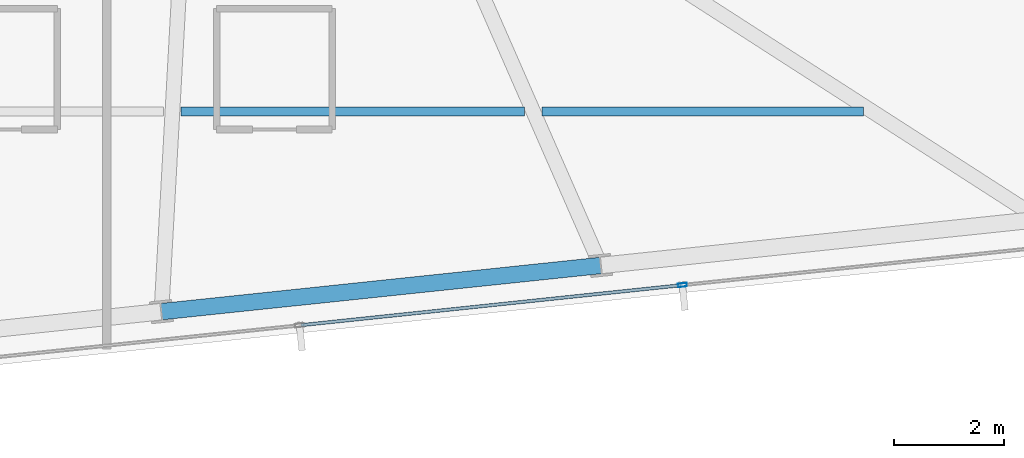
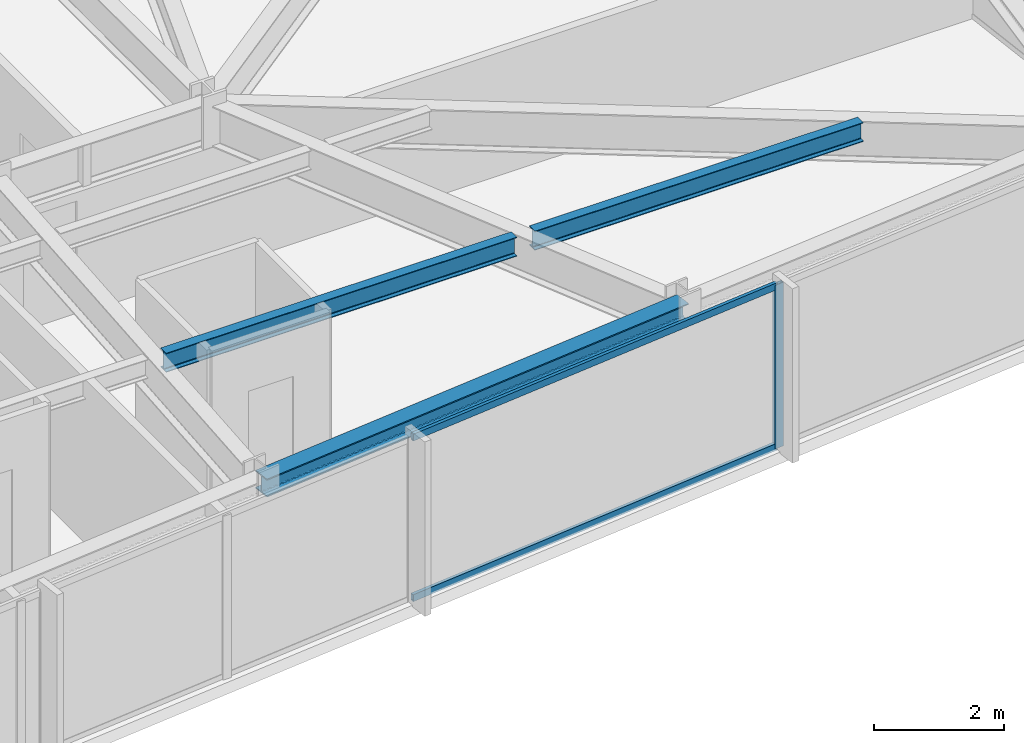
# One storey, part 15 of 33: 3 beams, 3 members, 1 element without a shape of its own.
"""IFC4 building model written with IfcOpenShell, lengths in metres."""

from ifc_helpers import new_model, si_unit, direction, frame, origin, origin_2d, place, context, subcontext, project, spatial, hollow_rectangle, i_section, extrude, material, material_profile, profile_set, type_object, element, aggregate, save


model = new_model("IFC4")

# Units and contexts
model_context = context("Model", 3, precision=1e-05, world=origin(), true_north=direction((0.0, 1.0)))
body_context = subcontext(model_context, "Body", "Model", "MODEL_VIEW")
ifc_project = project(units=[si_unit("LENGTHUNIT", "METRE"), si_unit("AREAUNIT", "SQUARE_METRE"), si_unit("VOLUMEUNIT", "CUBIC_METRE"), si_unit("PLANEANGLEUNIT", "RADIAN"), si_unit("MASSUNIT", "GRAM", prefix="KILO")], contexts=[model_context])

# Site, building, storey
site_placement = place(None, origin())
site = spatial("IfcSite", under=ifc_project, at=site_placement, CompositionType="ELEMENT")
building_placement = place(site_placement, origin())
building = spatial("IfcBuilding", under=site, at=building_placement, Name="Yelkora Congress Tower", CompositionType="ELEMENT")
storey_placement = place(building_placement, frame((0.0, 0.0, 240.800048828125)))
storey = spatial("IfcBuildingStorey", under=building, at=storey_placement, Name="L67", CompositionType="ELEMENT", Elevation=240.800048828125)

# Beams
ifc_material_1 = material(Name="Steel S355J2", Category="steel")
ifc_material_profile_1 = material_profile(ifc_material_1, i_section(OverallWidth=0.169921875, OverallDepth=0.360107421875, WebThickness=0.008056640625, FlangeThickness=0.0126953125, FilletRadius=0.01806640625, at=origin_2d()), Name="IPE 360")
ifc_profile_set_1 = profile_set([ifc_material_profile_1], Name="Steel S355J2")
beam_type_1 = type_object("IfcBeamType", Name="BM-JOIST-IPE360", PredefinedType="JOIST", material=ifc_profile_set_1)
beam_1_placement = place(storey_placement, frame((53.616455078125, 19.678466796875, 2.89990234375), z_axis=(1.0, 0.0, 0.0), x_axis=(0.0, 1.0, 0.0)))
element("IfcBeam", 1, at=beam_1_placement, inside=storey, type_object=beam_type_1, Name="L67 Composite Floor Joist 7", PredefinedType="JOIST", context=body_context, shape_type="SweptSolid", body=[
    extrude(i_section(OverallWidth=0.169921875, OverallDepth=0.360107421875, WebThickness=0.008056640625, FlangeThickness=0.0126953125, FilletRadius=0.01806640625, at=origin_2d()), origin(), (0.0, 0.0, 1.0), 6.2421875),
])
beam_2_placement = place(storey_placement, frame((60.1787109375, 19.678466796875, 2.89990234375), z_axis=(1.0, 0.0, 0.0), x_axis=(0.0, 1.0, 0.0)))
element("IfcBeam", 2, at=beam_2_placement, inside=storey, type_object=beam_type_1, Name="L67 Composite Floor Joist 8", PredefinedType="JOIST", context=body_context, shape_type="SweptSolid", body=[
    extrude(i_section(OverallWidth=0.169921875, OverallDepth=0.360107421875, WebThickness=0.008056640625, FlangeThickness=0.0126953125, FilletRadius=0.01806640625, at=origin_2d()), origin(), (0.0, 0.0, 1.0), 5.84619140625),
])
ifc_material_profile_2 = material_profile(ifc_material_1, i_section(OverallWidth=0.300048828125, OverallDepth=0.340087890625, WebThickness=0.011962890625, FlangeThickness=0.021484375, FilletRadius=0.027099609375, at=origin_2d()), Name="HEB 340")
ifc_profile_set_2 = profile_set([ifc_material_profile_2], Name="Steel S355J2")
beam_type_2 = type_object("IfcBeamType", Name="BM-SPAN-HEB340", PredefinedType="SPANDREL", material=ifc_profile_set_2)
beam_3_placement = place(storey_placement, frame((53.25634765625, 16.037353515625, 2.909912109375), z_axis=(0.994520097542, 0.104545567032, 0.0), x_axis=(-0.104545567032, 0.994520097542, 0.0)))
element("IfcBeam", 3, at=beam_3_placement, inside=storey, type_object=beam_type_2, Name="L67 Perimeter Beam 7", PredefinedType="SPANDREL", context=body_context, shape_type="SweptSolid", body=[
    extrude(i_section(OverallWidth=0.300048828125, OverallDepth=0.340087890625, WebThickness=0.011962890625, FlangeThickness=0.021484375, FilletRadius=0.027099609375, at=origin_2d()), origin(), (0.0, 0.0, 1.0), 8.033203125),
])

# Curtain wall, members
ifc_material_2 = material(Name="Anodised aluminium and insulated glass", Category="aluminium")
curtain_wall_type = type_object("IfcCurtainWallType", Name="CW-SYS-B4", PredefinedType="NOTDEFINED", material=ifc_material_2)
curtain_wall_placement = place(storey_placement, origin())
curtain_wall = element("IfcCurtainWall", 4, at=curtain_wall_placement, inside=storey, type_object=curtain_wall_type, Name="L67 Unitised Curtain Wall 20", PredefinedType="NOTDEFINED")
ifc_material_3 = material(Name="Anodised aluminium 6063-T6", Category="aluminium")
ifc_material_profile_3 = material_profile(ifc_material_3, hollow_rectangle(XDim=0.06494140625, YDim=0.159912109375, WallThickness=0.00390625, at=origin_2d()), Name="ALU 65x160x4")
ifc_profile_set_3 = profile_set([ifc_material_profile_3], Name="Anodised aluminium 6063-T6")
member_type_1 = type_object("IfcMemberType", Name="MEM-ML-B4", PredefinedType="MULLION", material=ifc_profile_set_3)
member_1_placement = place(storey_placement, frame((62.731689453125, 16.5205078125, 0.0), z_axis=(0.0, 0.0, 1.0), x_axis=(0.104526664994, -0.994522084373, 0.0)))
member_1 = element("IfcMember", 5, at=member_1_placement, type_object=member_type_1, Name="CW-B4 mullion 2", PredefinedType="MULLION", context=body_context, shape_type="SweptSolid", body=[
    extrude(hollow_rectangle(XDim=0.06494140625, YDim=0.159912109375, WallThickness=0.00390625, at=origin_2d()), origin(), (0.0, 0.0, 1.0), 3.079833984375),
])
ifc_material_profile_4 = material_profile(ifc_material_3, hollow_rectangle(XDim=0.06005859375, YDim=0.1298828125, WallThickness=0.00390625, at=origin_2d()), Name="ALU 60x130x4")
ifc_profile_set_4 = profile_set([ifc_material_profile_4], Name="Anodised aluminium 6063-T6")
member_type_2 = type_object("IfcMemberType", Name="MEM-TR-B4", PredefinedType="USERDEFINED", material=ifc_profile_set_4)
member_2_placement = place(storey_placement, frame((62.69921875, 16.51708984375, 0.030029296875), z_axis=(-0.994519904787, -0.104547400648, 0.0), x_axis=(0.104547400648, -0.994519904787, 0.0)))
member_2 = element("IfcMember", 6, at=member_2_placement, type_object=member_type_2, Name="CW-B4 transom 2.1", ObjectType="TRANSOM", PredefinedType="USERDEFINED", context=body_context, shape_type="SweptSolid", body=[
    extrude(hollow_rectangle(XDim=0.06005859375, YDim=0.1298828125, WallThickness=0.00390625, at=origin_2d()), origin(), (0.0, 0.0, 1.0), 6.93798828125),
])
member_3_placement = place(storey_placement, frame((62.69921875, 16.51708984375, 3.050048828125), z_axis=(-0.994519904787, -0.104547400648, 0.0), x_axis=(0.104547400648, -0.994519904787, 0.0)))
member_3 = element("IfcMember", 7, at=member_3_placement, type_object=member_type_2, Name="CW-B4 transom 2.2", ObjectType="TRANSOM", PredefinedType="USERDEFINED", context=body_context, shape_type="SweptSolid", body=[
    extrude(hollow_rectangle(XDim=0.06005859375, YDim=0.1298828125, WallThickness=0.00390625, at=origin_2d()), origin(), (0.0, 0.0, 1.0), 6.93798828125),
])
aggregate(curtain_wall, [member_1, member_2, member_3])

save(model, "model.ifc")
